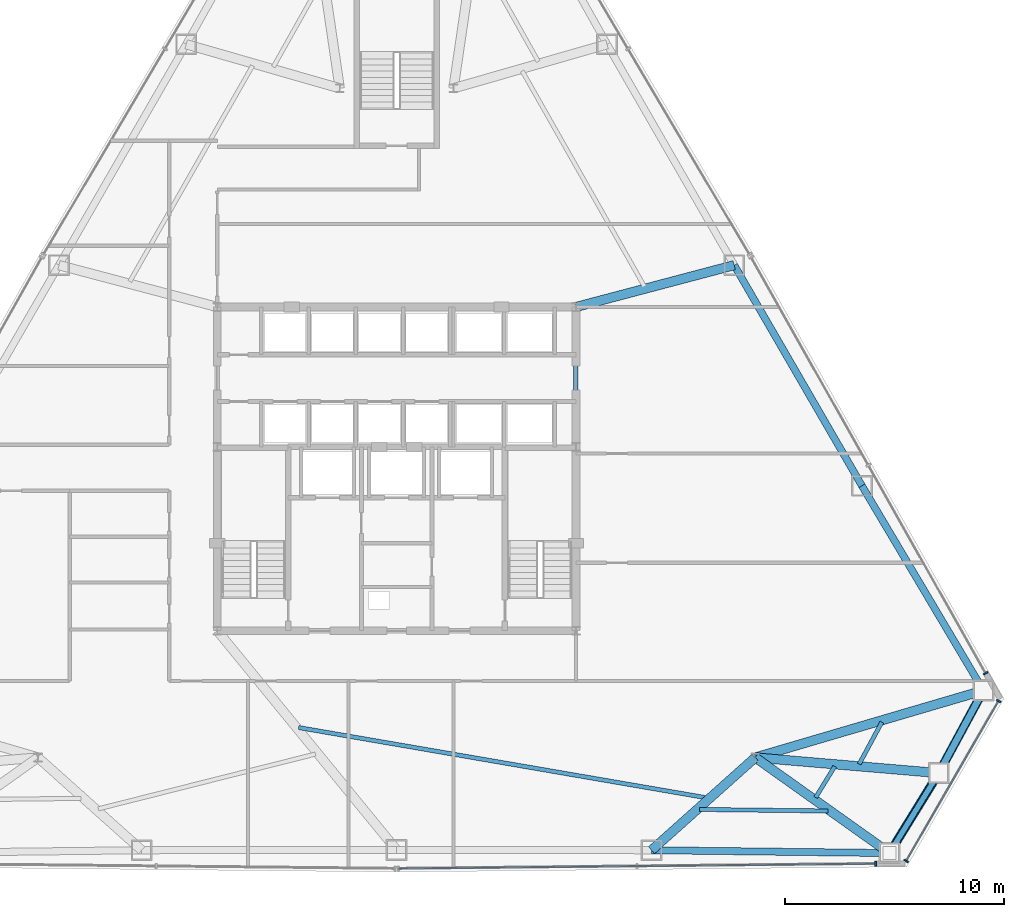
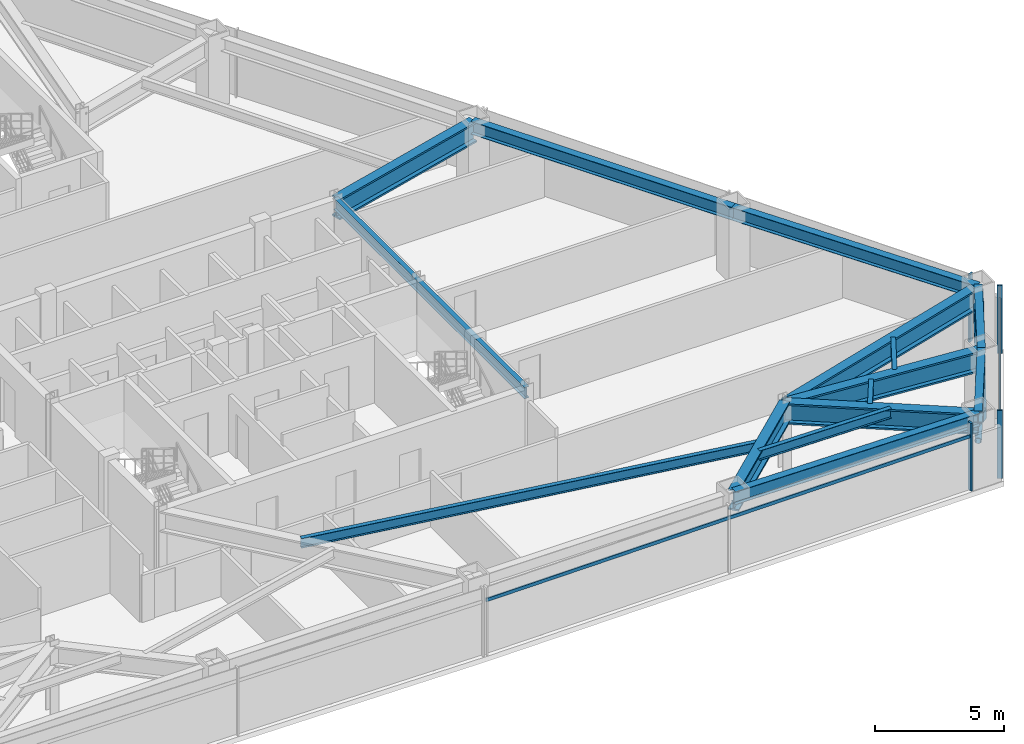
# One storey, part 6 of 13: 15 beams, 9 members, 3 elements without a shape of their own.
"""IFC4 building model written with IfcOpenShell, lengths in metres."""

from ifc_helpers import new_model, si_unit, direction, frame, origin, origin_2d, place, context, subcontext, project, spatial, rectangle, hollow_rectangle, hollow_circle, i_section, extrude, source, transform, mapped, material, layer, layer_set, material_profile, profile_set, type_object, type_shapes, element, aggregate, save


model = new_model("IFC4")

# Units and contexts
model_context = context("Model", 3, precision=1e-05, world=origin(), true_north=direction((0.0, 1.0)))
body_context = subcontext(model_context, "Body", "Model", "MODEL_VIEW")
ifc_project = project(units=[si_unit("LENGTHUNIT", "METRE"), si_unit("AREAUNIT", "SQUARE_METRE"), si_unit("VOLUMEUNIT", "CUBIC_METRE"), si_unit("PLANEANGLEUNIT", "RADIAN"), si_unit("MASSUNIT", "GRAM", prefix="KILO")], contexts=[model_context])

# Site, building, storey
site_placement = place(None, origin())
site = spatial("IfcSite", under=ifc_project, at=site_placement, CompositionType="ELEMENT")
building_placement = place(site_placement, origin())
building = spatial("IfcBuilding", under=site, at=building_placement, Name="Varakhsha Concourse Tower", CompositionType="ELEMENT")
storey_placement = place(building_placement, frame((0.0, 0.0, 116.0)))
storey = spatial("IfcBuildingStorey", under=building, at=storey_placement, Name="L33", CompositionType="ELEMENT", Elevation=116.0)

# Beams
ifc_material_1 = material(Name="Structural Steel ASTM A992 Grade 50", Category="steel")
ifc_material_profile_1 = material_profile(ifc_material_1, i_section(OverallWidth=0.19091796875, OverallDepth=0.45703125, WebThickness=0.009033203125, FlangeThickness=0.013916015625, at=origin_2d()), Name="W18X50")
ifc_profile_set_1 = profile_set([ifc_material_profile_1], Name="Structural Steel ASTM A992 Grade 50")
beam_type_1 = type_object("IfcBeamType", Name="BM-JST-W18X50", PredefinedType="JOIST", material=ifc_profile_set_1)
beam_1_placement = place(storey_placement, frame((35.516357421875, 11.969970703125, 2.9814453125), z_axis=(0.985508764343, -0.169624512976, 0.0), x_axis=(0.169624512976, 0.985508764343, 0.0)))
element("IfcBeam", 1, at=beam_1_placement, inside=storey, type_object=beam_type_1, Name="BM-TJST-L33-11", PredefinedType="JOIST", context=body_context, shape_type="SweptSolid", body=[
    extrude(i_section(OverallWidth=0.19091796875, OverallDepth=0.45703125, WebThickness=0.009033203125, FlangeThickness=0.013916015625, at=origin_2d()), origin(), (0.0, 0.0, 1.0), 18.962890625),
])
beam_2_placement = place(storey_placement, frame((53.853515625, 8.224853515625, 2.9814453125), z_axis=(0.999928372306, -0.011968719971, 0.0), x_axis=(0.011968719971, 0.999928372306, 0.0)))
element("IfcBeam", 2, at=beam_2_placement, inside=storey, type_object=beam_type_1, Name="BM-TJST-L33-12", PredefinedType="JOIST", context=body_context, shape_type="SweptSolid", body=[
    extrude(i_section(OverallWidth=0.19091796875, OverallDepth=0.45703125, WebThickness=0.009033203125, FlangeThickness=0.013916015625, at=origin_2d()), origin(), (0.0, 0.0, 1.0), 5.874755859375),
])
beam_3_placement = place(storey_placement, frame((59.158935546875, 8.771240234375, 2.9814453125), z_axis=(0.524162703431, 0.851618142322, 0.0), x_axis=(-0.851618142322, 0.524162703431, 0.0)))
element("IfcBeam", 3, at=beam_3_placement, inside=storey, type_object=beam_type_1, Name="BM-TJST-L33-13", PredefinedType="JOIST", context=body_context, shape_type="SweptSolid", body=[
    extrude(i_section(OverallWidth=0.19091796875, OverallDepth=0.45703125, WebThickness=0.009033203125, FlangeThickness=0.013916015625, at=origin_2d()), origin(), (0.0, 0.0, 1.0), 1.66943359375),
])
beam_4_placement = place(storey_placement, frame((61.150634765625, 10.2978515625, 2.9814453125), z_axis=(0.475418856136, 0.879759575811, 0.0), x_axis=(-0.879759575811, 0.475418856136, 0.0)))
element("IfcBeam", 4, at=beam_4_placement, inside=storey, type_object=beam_type_1, Name="BM-TJST-L33-14", PredefinedType="JOIST", context=body_context, shape_type="SweptSolid", body=[
    extrude(i_section(OverallWidth=0.19091796875, OverallDepth=0.45703125, WebThickness=0.009033203125, FlangeThickness=0.013916015625, at=origin_2d()), origin(), (0.0, 0.0, 1.0), 2.1845703125),
])
ifc_material_profile_2 = material_profile(ifc_material_1, i_section(OverallWidth=0.2109375, OverallDepth=0.5390625, WebThickness=0.011962890625, FlangeThickness=0.01904296875, at=origin_2d()), Name="W21X73")
ifc_profile_set_2 = profile_set([ifc_material_profile_2], Name="Structural Steel ASTM A992 Grade 50")
beam_type_2 = type_object("IfcBeamType", Name="BM-RAD-W21X73", PredefinedType="BEAM", material=ifc_profile_set_2)
beam_5_placement = place(storey_placement, frame((48.199951171875, 16.39990234375, 2.9404296875), z_axis=(0.0, 1.0, 0.0), x_axis=(-1.0, 0.0, 0.0)))
element("IfcBeam", 5, at=beam_5_placement, inside=storey, type_object=beam_type_2, Name="BM-TCORE-L33-CE", PredefinedType="BEAM", context=body_context, shape_type="SweptSolid", body=[
    extrude(i_section(OverallWidth=0.2109375, OverallDepth=0.5390625, WebThickness=0.011962890625, FlangeThickness=0.01904296875, at=origin_2d()), origin(), (0.0, 0.0, 1.0), 14.800048828125),
])
ifc_material_profile_3 = material_profile(ifc_material_1, i_section(OverallWidth=0.323974609375, OverallDepth=0.611083984375, WebThickness=0.012939453125, FlangeThickness=0.01904296875, at=origin_2d()), Name="W24X104")
ifc_profile_set_3 = profile_set([ifc_material_profile_3], Name="Structural Steel ASTM A992 Grade 50")
beam_type_3 = type_object("IfcBeamType", Name="BM-SPAN-W24X104", PredefinedType="SPANDREL", material=ifc_profile_set_3)
beam_6_placement = place(storey_placement, frame((51.65625, 6.36083984375, 2.904541015625), z_axis=(0.999928789393, -0.011933823491, 0.0), x_axis=(0.011933823491, 0.999928789393, 0.0)))
element("IfcBeam", 6, at=beam_6_placement, inside=storey, type_object=beam_type_3, Name="BM-SPAN-L33-12", PredefinedType="SPANDREL", context=body_context, shape_type="SweptSolid", body=[
    extrude(i_section(OverallWidth=0.323974609375, OverallDepth=0.611083984375, WebThickness=0.012939453125, FlangeThickness=0.01904296875, at=origin_2d()), origin(), (0.0, 0.0, 1.0), 10.883544921875),
])
beam_7_placement = place(storey_placement, frame((62.5390625, 6.23095703125, 2.904541015625), z_axis=(0.524170386951, 0.851613413142, 0.0), x_axis=(-0.851613413142, 0.524170386951, 0.0)))
element("IfcBeam", 7, at=beam_7_placement, inside=storey, type_object=beam_type_3, Name="BM-SPAN-L33-13", PredefinedType="SPANDREL", context=body_context, shape_type="SweptSolid", body=[
    extrude(i_section(OverallWidth=0.323974609375, OverallDepth=0.611083984375, WebThickness=0.012939453125, FlangeThickness=0.01904296875, at=origin_2d()), origin(), (0.0, 0.0, 1.0), 4.2939453125),
])
beam_8_placement = place(storey_placement, frame((64.789794921875, 9.8876953125, 2.904541015625), z_axis=(0.475462327105, 0.87973608287, 0.0), x_axis=(-0.87973608287, 0.475462327105, 0.0)))
element("IfcBeam", 8, at=beam_8_placement, inside=storey, type_object=beam_type_3, Name="BM-SPAN-L33-14", PredefinedType="SPANDREL", context=body_context, shape_type="SweptSolid", body=[
    extrude(i_section(OverallWidth=0.323974609375, OverallDepth=0.611083984375, WebThickness=0.012939453125, FlangeThickness=0.01904296875, at=origin_2d()), origin(), (0.0, 0.0, 1.0), 4.293701171875),
])
beam_9_placement = place(storey_placement, frame((66.831298828125, 13.6650390625, 2.904541015625), z_axis=(-0.510320025009, 0.85998457665, 0.0), x_axis=(-0.85998457665, -0.510320025009, 0.0)))
element("IfcBeam", 9, at=beam_9_placement, inside=storey, type_object=beam_type_3, Name="BM-SPAN-L33-15", PredefinedType="SPANDREL", context=body_context, shape_type="SweptSolid", body=[
    extrude(i_section(OverallWidth=0.323974609375, OverallDepth=0.611083984375, WebThickness=0.012939453125, FlangeThickness=0.01904296875, at=origin_2d()), origin(), (0.0, 0.0, 1.0), 10.8837890625),
])
beam_10_placement = place(storey_placement, frame((61.277099609375, 23.02490234375, 2.904541015625), z_axis=(-0.500947098557, 0.865477905234, 0.0), x_axis=(-0.865477905234, -0.500947098557, 0.0)))
element("IfcBeam", 10, at=beam_10_placement, inside=storey, type_object=beam_type_3, Name="BM-SPAN-L33-16", PredefinedType="SPANDREL", context=body_context, shape_type="SweptSolid", body=[
    extrude(i_section(OverallWidth=0.323974609375, OverallDepth=0.611083984375, WebThickness=0.012939453125, FlangeThickness=0.01904296875, at=origin_2d()), origin(), (0.0, 0.0, 1.0), 11.65625),
])
ifc_material_profile_4 = material_profile(ifc_material_1, i_section(OverallWidth=0.427978515625, OverallDepth=0.97509765625, WebThickness=0.050048828125, FlangeThickness=0.0810546875, at=origin_2d()), Name="W36X395")
ifc_profile_set_4 = profile_set([ifc_material_profile_4], Name="Structural Steel ASTM A992 Grade 50")
beam_type_4 = type_object("IfcBeamType", Name="BM-XFER-W36X395", PredefinedType="USERDEFINED", material=ifc_profile_set_4)
beam_11_placement = place(storey_placement, frame((56.39990234375, 10.60009765625, 2.722412109375), z_axis=(-0.745636627589, -0.666352774135, 0.0), x_axis=(0.666352774135, -0.745636627589, 0.0)))
element("IfcBeam", 11, at=beam_11_placement, inside=storey, type_object=beam_type_4, Name="L33 Radial Floor Girder 12", ObjectType="GIRDER", PredefinedType="USERDEFINED", context=body_context, shape_type="SweptSolid", body=[
    extrude(i_section(OverallWidth=0.427978515625, OverallDepth=0.97509765625, WebThickness=0.050048828125, FlangeThickness=0.0810546875, at=origin_2d()), origin(), (0.0, 0.0, 1.0), 6.36181640625),
])
beam_12_placement = place(storey_placement, frame((56.39990234375, 10.60009765625, 2.722412109375), z_axis=(0.814734914683, -0.579833613027, 0.0), x_axis=(0.579833613027, 0.814734914683, 0.0)))
element("IfcBeam", 12, at=beam_12_placement, inside=storey, type_object=beam_type_4, Name="L33 Radial Floor Girder 13", ObjectType="GIRDER", PredefinedType="USERDEFINED", context=body_context, shape_type="SweptSolid", body=[
    extrude(i_section(OverallWidth=0.427978515625, OverallDepth=0.97509765625, WebThickness=0.050048828125, FlangeThickness=0.0810546875, at=origin_2d()), origin(), (0.0, 0.0, 1.0), 7.53515625),
])
beam_13_placement = place(storey_placement, frame((56.39990234375, 10.60009765625, 2.722412109375), z_axis=(0.99641435618, -0.084607510296, 0.0), x_axis=(0.084607510296, 0.99641435618, 0.0)))
element("IfcBeam", 13, at=beam_13_placement, inside=storey, type_object=beam_type_4, Name="L33 Radial Floor Girder 14", ObjectType="GIRDER", PredefinedType="USERDEFINED", context=body_context, shape_type="SweptSolid", body=[
    extrude(i_section(OverallWidth=0.427978515625, OverallDepth=0.97509765625, WebThickness=0.050048828125, FlangeThickness=0.0810546875, at=origin_2d()), origin(), (0.0, 0.0, 1.0), 8.420166015625),
])
beam_14_placement = place(storey_placement, frame((56.39990234375, 10.60009765625, 2.722412109375), z_axis=(0.959443057289, 0.281902500555, 0.0), x_axis=(-0.281902500555, 0.959443057289, 0.0)))
element("IfcBeam", 14, at=beam_14_placement, inside=storey, type_object=beam_type_4, Name="L33 Radial Floor Girder 15", ObjectType="GIRDER", PredefinedType="USERDEFINED", context=body_context, shape_type="SweptSolid", body=[
    extrude(i_section(OverallWidth=0.427978515625, OverallDepth=0.97509765625, WebThickness=0.050048828125, FlangeThickness=0.0810546875, at=origin_2d()), origin(), (0.0, 0.0, 1.0), 10.872314453125),
])
beam_15_placement = place(storey_placement, frame((48.199951171875, 31.199951171875, 2.722412109375), z_axis=(0.966799829341, 0.255534909526, 0.0), x_axis=(-0.255534909526, 0.966799829341, 0.0)))
element("IfcBeam", 15, at=beam_15_placement, inside=storey, type_object=beam_type_4, Name="L33 Radial Floor Girder 17", ObjectType="GIRDER", PredefinedType="USERDEFINED", context=body_context, shape_type="SweptSolid", body=[
    extrude(i_section(OverallWidth=0.427978515625, OverallDepth=0.97509765625, WebThickness=0.050048828125, FlangeThickness=0.0810546875, at=origin_2d()), origin(), (0.0, 0.0, 1.0), 7.486572265625),
])

# Members
ifc_material_2 = material(Name="Structural Steel ASTM A500 Grade C", Category="steel")
ifc_material_profile_5 = material_profile(ifc_material_2, hollow_rectangle(XDim=0.39990234375, YDim=0.39990234375, WallThickness=0.01611328125, at=origin_2d()), Name="HSS 400x400x16")
ifc_profile_set_5 = profile_set([ifc_material_profile_5], Name="Structural Steel ASTM A500 Grade C")
member_type_1 = type_object("IfcMemberType", Name="MB-TUBE-HSS400", PredefinedType="BRACE", material=ifc_profile_set_5)
shared_shape_1 = source(origin(), body_context, "Body", "SweptSolid", [
    extrude(hollow_rectangle(XDim=0.39990234375, YDim=0.39990234375, WallThickness=0.01611328125, at=origin_2d()), origin(), (0.0, 0.0, 1.0), 5.120361328125),
])
member_1_placement = place(storey_placement, frame((64.789794921875, 9.8876953125, 0.1201171875), z_axis=(0.398696102531, 0.737697452566, 0.54483381531), x_axis=(-0.87973608287, 0.475462327105, 0.0)))
element("IfcMember", 16, at=member_1_placement, inside=storey, type_object=member_type_1, Name="L33 Wind-Corner Tube Brace B06", PredefinedType="BRACE", context=body_context, shape_type="MappedRepresentation", body=[
    mapped(shared_shape_1, transform((0.0, 0.0, 0.0), scale=1.0)),
])
shared_shape_2 = source(origin(), body_context, "Body", "SweptSolid", [
    extrude(hollow_rectangle(XDim=0.39990234375, YDim=0.39990234375, WallThickness=0.01611328125, at=origin_2d()), origin(), (0.0, 0.0, 1.0), 5.12060546875),
])
type_shapes(member_type_1, [shared_shape_1, shared_shape_2])
member_2_placement = place(storey_placement, frame((64.789794921875, 9.8876953125, 0.1201171875), z_axis=(-0.439545147793, -0.714123790394, 0.544818570759), x_axis=(0.851613413142, -0.524170386951, 0.0)))
element("IfcMember", 17, at=member_2_placement, inside=storey, type_object=member_type_1, Name="L33 Wind-Corner Tube Brace B05", PredefinedType="BRACE", context=body_context, shape_type="MappedRepresentation", body=[
    mapped(shared_shape_2, transform((0.0, 0.0, 0.0), scale=1.0)),
])
ifc_material_profile_6 = material_profile(ifc_material_2, hollow_circle(Radius=0.136474609375, WallThickness=0.011962890625, at=origin_2d()), Name="CHS 273x12")
ifc_profile_set_6 = profile_set([ifc_material_profile_6], Name="Structural Steel ASTM A500 Grade C")
member_type_2 = type_object("IfcMemberType", Name="MB-WIND-CHS273", PredefinedType="COLLAR", material=ifc_profile_set_6)
shared_shape_3 = source(origin(), body_context, "Body", "SweptSolid", [
    extrude(hollow_circle(Radius=0.136474609375, WallThickness=0.011962890625, at=origin_2d()), origin(), (0.0, 0.0, 1.0), 4.2939453125),
])
type_shapes(member_type_2, [shared_shape_3])
member_3_placement = place(storey_placement, frame((62.5390625, 6.23095703125, 1.800048828125), z_axis=(0.524170386951, 0.851613413142, 0.0), x_axis=(-0.851613413142, 0.524170386951, 0.0)))
element("IfcMember", 18, at=member_3_placement, inside=storey, type_object=member_type_2, Name="L33 Wind-Corner Collar Tie 3", PredefinedType="COLLAR", context=body_context, shape_type="MappedRepresentation", body=[
    mapped(shared_shape_3, transform((0.0, 0.0, 0.0), scale=1.0)),
])

# Curtain wall, member
ifc_material_3 = material(Name="Anodised Bronze Architectural Aluminium AA 6063-T6", Category="aluminium")
ifc_layer = layer(ifc_material_3, 0.2099609375, Name="CW-SYS-04")
ifc_layer_set = layer_set([ifc_layer], Name="Anodised Bronze Architectural Aluminium AA 6063-T6")
curtain_wall_type = type_object("IfcCurtainWallType", Name="CW-SYS-04", PredefinedType="NOTDEFINED", material=ifc_layer_set)
curtain_wall_1_placement = place(storey_placement, origin())
curtain_wall_1 = element("IfcCurtainWall", 19, at=curtain_wall_1_placement, inside=storey, type_object=curtain_wall_type, Name="L33 Crystal Curtain Wall F6", PredefinedType="NOTDEFINED")
ifc_material_profile_7 = material_profile(ifc_material_3, rectangle(XDim=0.074951171875, YDim=0.219970703125, at=origin_2d()), Name="CWM-220X75")
ifc_profile_set_7 = profile_set([ifc_material_profile_7], Name="Anodised Bronze Architectural Aluminium AA 6063-T6")
member_type_3 = type_object("IfcMemberType", Name="CWM-220X75", PredefinedType="MULLION", material=ifc_profile_set_7)
shared_shape_4 = source(origin(), body_context, "Body", "SweptSolid", [
    extrude(rectangle(XDim=0.074951171875, YDim=0.219970703125, at=origin_2d()), origin(), (0.0, 0.0, 1.0), 3.2099609375),
])
type_shapes(member_type_3, [shared_shape_4])
member_4_placement = place(storey_placement, frame((61.908935546875, 5.74560546875, 0.0), z_axis=(0.0, 0.0, 1.0), x_axis=(-0.99994793005, -0.010204763012, 0.0)))
member_4 = element("IfcMember", 20, at=member_4_placement, type_object=member_type_3, Name="CW-L33-F6 Mullion 00", PredefinedType="MULLION", context=body_context, shape_type="MappedRepresentation", body=[
    mapped(shared_shape_4, transform((0.0, 0.0, 0.0), scale=1.0)),
])

# Curtain wall, members
curtain_wall_2_placement = place(storey_placement, origin())
curtain_wall_2 = element("IfcCurtainWall", 21, at=curtain_wall_2_placement, inside=storey, type_object=curtain_wall_type, Name="L33 Chamfer Curtain Wall F7", PredefinedType="NOTDEFINED")
member_5_placement = place(storey_placement, frame((67.524658203125, 13.184814453125, 0.0), z_axis=(0.0, 0.0, 1.0), x_axis=(-0.500004534492, -0.866022785779, 0.0)))
member_5 = element("IfcMember", 22, at=member_5_placement, type_object=member_type_3, Name="CW-L33-F7 Mullion 00", PredefinedType="MULLION", context=body_context, shape_type="MappedRepresentation", body=[
    mapped(shared_shape_4, transform((0.0, 0.0, 0.0), scale=1.0)),
])
member_6_placement = place(storey_placement, frame((63.3017578125, 5.87060546875, 0.0), z_axis=(0.0, 0.0, 1.0), x_axis=(-0.500004534492, -0.866022785779, 0.0)))
member_6 = element("IfcMember", 23, at=member_6_placement, type_object=member_type_3, Name="CW-L33-F7 Mullion 01", PredefinedType="MULLION", context=body_context, shape_type="MappedRepresentation", body=[
    mapped(shared_shape_4, transform((0.0, 0.0, 0.0), scale=1.0)),
])

# Curtain wall, member
curtain_wall_3_placement = place(storey_placement, origin())
curtain_wall_3 = element("IfcCurtainWall", 24, at=curtain_wall_3_placement, inside=storey, type_object=curtain_wall_type, Name="L33 Crystal Curtain Wall F8", PredefinedType="NOTDEFINED")
member_7_placement = place(storey_placement, frame((66.9365234375, 14.45361328125, 0.0), z_axis=(0.0, 0.0, 1.0), x_axis=(0.491137901342, -0.871081834195, 0.0)))
member_7 = element("IfcMember", 25, at=member_7_placement, type_object=member_type_3, Name="CW-L33-F8 Mullion 02", PredefinedType="MULLION", context=body_context, shape_type="MappedRepresentation", body=[
    mapped(shared_shape_4, transform((0.0, 0.0, 0.0), scale=1.0)),
])
aggregate(curtain_wall_3, [member_7])

# Member
ifc_material_profile_8 = material_profile(ifc_material_3, rectangle(XDim=0.06494140625, YDim=0.159912109375, at=origin_2d()), Name="CWT-160X65")
ifc_profile_set_8 = profile_set([ifc_material_profile_8], Name="Anodised Bronze Architectural Aluminium AA 6063-T6")
member_type_4 = type_object("IfcMemberType", Name="CWT-160X65", PredefinedType="USERDEFINED", material=ifc_profile_set_8)
shared_shape_5 = source(origin(), body_context, "Body", "SweptSolid", [
    extrude(rectangle(XDim=0.06494140625, YDim=0.159912109375, at=origin_2d()), origin(), (0.0, 0.0, 1.0), 8.44580078125),
])
member_8_placement = place(storey_placement, frame((67.524658203125, 13.184814453125, 2.56005859375), z_axis=(-0.500003540057, -0.866023359922, 0.0), x_axis=(0.866023359922, -0.500003540057, 0.0)))
member_8 = element("IfcMember", 26, at=member_8_placement, type_object=member_type_4, Name="CW-L33-F7 Transom 01", ObjectType="TRANSOM", PredefinedType="USERDEFINED", context=body_context, shape_type="MappedRepresentation", body=[
    mapped(shared_shape_5, transform((0.0, 0.0, 0.0), scale=1.0)),
])

aggregate(curtain_wall_2, [member_5, member_6, member_8])

shared_shape_6 = source(origin(), body_context, "Body", "SweptSolid", [
    extrude(rectangle(XDim=0.06494140625, YDim=0.159912109375, at=origin_2d()), origin(), (0.0, 0.0, 1.0), 21.831787109375),
])
type_shapes(member_type_4, [shared_shape_5, shared_shape_6])
member_9_placement = place(storey_placement, frame((61.908935546875, 5.74560546875, 2.56005859375), z_axis=(-0.999947877205, -0.010209939966, 0.0), x_axis=(0.010209939966, -0.999947877205, 0.0)))
member_9 = element("IfcMember", 27, at=member_9_placement, type_object=member_type_4, Name="CW-L33-F6 Transom 01", ObjectType="TRANSOM", PredefinedType="USERDEFINED", context=body_context, shape_type="MappedRepresentation", body=[
    mapped(shared_shape_6, transform((0.0, 0.0, 0.0), scale=1.0)),
])

aggregate(curtain_wall_1, [member_4, member_9])

save(model, "model.ifc")
